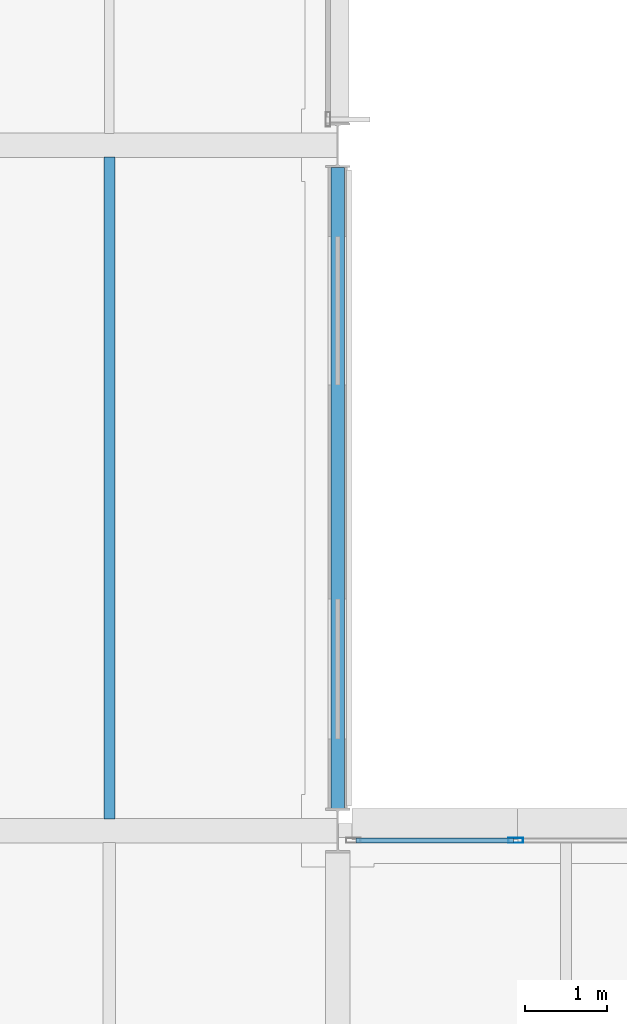
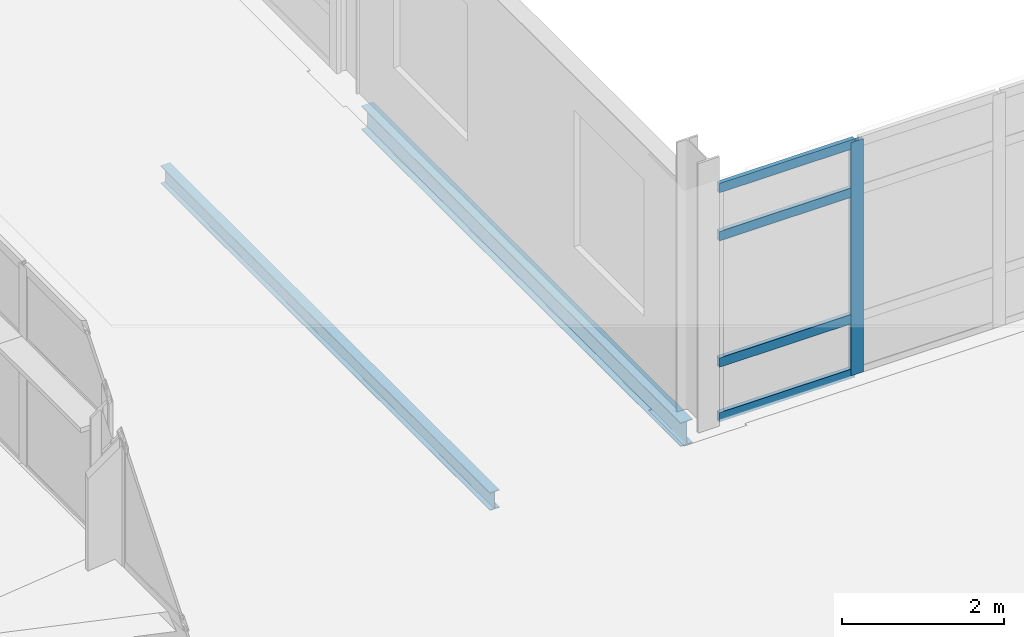
# One storey, part 24 of 131: 5 members, 2 beams, 1 element without a shape of its own.
"""IFC4 building model written with IfcOpenShell, lengths in metres."""

from ifc_helpers import new_model, si_unit, direction, frame, origin, origin_2d, place, context, subcontext, project, spatial, hollow_rectangle, i_section, extrude, material, material_profile, profile_set, type_object, element, aggregate, save


model = new_model("IFC4")

# Units and contexts
model_context = context("Model", 3, precision=1e-05, world=origin(), true_north=direction((0.0, 1.0)))
body_context = subcontext(model_context, "Body", "Model", "MODEL_VIEW")
ifc_project = project(units=[si_unit("LENGTHUNIT", "METRE"), si_unit("AREAUNIT", "SQUARE_METRE"), si_unit("VOLUMEUNIT", "CUBIC_METRE"), si_unit("PLANEANGLEUNIT", "RADIAN"), si_unit("MASSUNIT", "GRAM", prefix="KILO")], contexts=[model_context])

# Site, building, storey
site_placement = place(None, origin())
site = spatial("IfcSite", under=ifc_project, at=site_placement, CompositionType="ELEMENT")
building_placement = place(site_placement, origin())
building = spatial("IfcBuilding", under=site, at=building_placement, Name="Mersafa Astral City Hall", CompositionType="ELEMENT")
storey_placement = place(building_placement, frame((0.0, 0.0, 13.949951171875)))
storey = spatial("IfcBuildingStorey", under=building, at=storey_placement, Name="L03", CompositionType="ELEMENT", Elevation=13.949951171875)

# Curtain wall, members
ifc_material_1 = material(Name="Anodised bronze aluminium framing", Category="aluminium")
curtain_wall_type = type_object("IfcCurtainWallType", Name="ENV-CW-2", PredefinedType="USERDEFINED", material=ifc_material_1)
curtain_wall_placement = place(storey_placement, origin())
curtain_wall = element("IfcCurtainWall", 1, at=curtain_wall_placement, inside=storey, type_object=curtain_wall_type, Name="L03 Unitised solar curtain wall 151", ObjectType="UNITISED CURTAIN WALL", PredefinedType="USERDEFINED")
ifc_material_profile_1 = material_profile(ifc_material_1, hollow_rectangle(XDim=0.06005859375, YDim=0.179931640625, WallThickness=0.00390625, at=origin_2d()), Name="RHS 60x180x4")
ifc_profile_set_1 = profile_set([ifc_material_profile_1], Name="Anodised bronze aluminium framing")
member_type_1 = type_object("IfcMemberType", Name="ENV-CW-MUL-1", PredefinedType="MULLION", material=ifc_profile_set_1)
member_1_placement = place(storey_placement, frame((119.781005859375, 33.47998046875, -0.001953125), z_axis=(0.0, 0.0, 1.0), x_axis=(0.0, -1.0, 0.0)))
member_1 = element("IfcMember", 2, at=member_1_placement, type_object=member_type_1, Name="CW-2 mullion 4", PredefinedType="MULLION", context=body_context, shape_type="SweptSolid", body=[
    extrude(hollow_rectangle(XDim=0.06005859375, YDim=0.179931640625, WallThickness=0.00390625, at=origin_2d()), origin(), (0.0, 0.0, 1.0), 3.50390625),
])
ifc_material_profile_2 = material_profile(ifc_material_1, hollow_rectangle(XDim=0.06005859375, YDim=0.139892578125, WallThickness=0.00390625, at=origin_2d()), Name="RHS 60x140x4")
ifc_profile_set_2 = profile_set([ifc_material_profile_2], Name="Anodised bronze aluminium framing")
member_type_2 = type_object("IfcMemberType", Name="ENV-CW-TRN-1", PredefinedType="USERDEFINED", material=ifc_profile_set_2)
member_2_placement = place(storey_placement, frame((119.7509765625, 33.47998046875, 0.028076171875), z_axis=(-1.0, 0.0, 0.0), x_axis=(0.0, -1.0, 0.0)))
member_2 = element("IfcMember", 3, at=member_2_placement, type_object=member_type_2, Name="CW-2 transom 4.1", ObjectType="TRANSOM", PredefinedType="USERDEFINED", context=body_context, shape_type="SweptSolid", body=[
    extrude(hollow_rectangle(XDim=0.06005859375, YDim=0.139892578125, WallThickness=0.00390625, at=origin_2d()), origin(), (0.0, 0.0, 1.0), 1.928955078125),
])
member_3_placement = place(storey_placement, frame((119.7509765625, 33.47998046875, 0.85009765625), z_axis=(-1.0, 0.0, 0.0), x_axis=(0.0, -1.0, 0.0)))
member_3 = element("IfcMember", 4, at=member_3_placement, type_object=member_type_2, Name="CW-2 transom 4.2", ObjectType="TRANSOM", PredefinedType="USERDEFINED", context=body_context, shape_type="SweptSolid", body=[
    extrude(hollow_rectangle(XDim=0.06005859375, YDim=0.139892578125, WallThickness=0.00390625, at=origin_2d()), origin(), (0.0, 0.0, 1.0), 1.928955078125),
])
member_4_placement = place(storey_placement, frame((119.7509765625, 33.47998046875, 2.75), z_axis=(-1.0, 0.0, 0.0), x_axis=(0.0, -1.0, 0.0)))
member_4 = element("IfcMember", 5, at=member_4_placement, type_object=member_type_2, Name="CW-2 transom 4.3", ObjectType="TRANSOM", PredefinedType="USERDEFINED", context=body_context, shape_type="SweptSolid", body=[
    extrude(hollow_rectangle(XDim=0.06005859375, YDim=0.139892578125, WallThickness=0.00390625, at=origin_2d()), origin(), (0.0, 0.0, 1.0), 1.928955078125),
])
member_5_placement = place(storey_placement, frame((119.7509765625, 33.47998046875, 3.47216796875), z_axis=(-1.0, 0.0, 0.0), x_axis=(0.0, -1.0, 0.0)))
member_5 = element("IfcMember", 6, at=member_5_placement, type_object=member_type_2, Name="CW-2 transom 4.4", ObjectType="TRANSOM", PredefinedType="USERDEFINED", context=body_context, shape_type="SweptSolid", body=[
    extrude(hollow_rectangle(XDim=0.06005859375, YDim=0.139892578125, WallThickness=0.00390625, at=origin_2d()), origin(), (0.0, 0.0, 1.0), 1.928955078125),
])
aggregate(curtain_wall, [member_1, member_2, member_3, member_4, member_5])

# Beams
ifc_material_2 = material(Name="Steel S355", Category="steel")
ifc_material_profile_3 = material_profile(ifc_material_2, i_section(OverallWidth=0.135009765625, OverallDepth=0.27001953125, WebThickness=0.006591796875, FlangeThickness=0.01025390625, FilletRadius=0.014892578125, at=origin_2d()), Name="IPE 270")
ifc_profile_set_3 = profile_set([ifc_material_profile_3], Name="Steel S355")
beam_type_1 = type_object("IfcBeamType", Name="STR-BM-JOIST-IPE270", PredefinedType="JOIST", material=ifc_profile_set_3)
beam_1_placement = place(storey_placement, frame((114.800048828125, 33.7451171875, -0.3349609375), z_axis=(0.0, 1.0, 0.0), x_axis=(-1.0, 0.0, 0.0)))
element("IfcBeam", 7, at=beam_1_placement, inside=storey, type_object=beam_type_1, Name="L03 Composite secondary floor joist 609", PredefinedType="JOIST", context=body_context, shape_type="SweptSolid", body=[
    extrude(i_section(OverallWidth=0.135009765625, OverallDepth=0.27001953125, WebThickness=0.006591796875, FlangeThickness=0.01025390625, FilletRadius=0.014892578125, at=origin_2d()), origin(), (0.0, 0.0, 1.0), 8.10986328125),
])
ifc_material_profile_4 = material_profile(ifc_material_2, i_section(OverallWidth=0.169921875, OverallDepth=0.360107421875, WebThickness=0.008056640625, FlangeThickness=0.0126953125, FilletRadius=0.01806640625, at=origin_2d()), Name="IPE 360")
ifc_profile_set_4 = profile_set([ifc_material_profile_4], Name="Steel S355")
beam_type_2 = type_object("IfcBeamType", Name="STR-BM-SPANDREL-IPE360", PredefinedType="SPANDREL", material=ifc_profile_set_4)
beam_2_placement = place(storey_placement, frame((117.60009765625, 33.8701171875, -0.3798828125), z_axis=(0.0, 1.0, 0.0), x_axis=(-1.0, 0.0, 0.0)))
element("IfcBeam", 8, at=beam_2_placement, inside=storey, type_object=beam_type_2, Name="L03 Primary girder Y 14-4", PredefinedType="SPANDREL", context=body_context, shape_type="SweptSolid", body=[
    extrude(i_section(OverallWidth=0.169921875, OverallDepth=0.360107421875, WebThickness=0.008056640625, FlangeThickness=0.0126953125, FilletRadius=0.01806640625, at=origin_2d()), origin(), (0.0, 0.0, 1.0), 7.85986328125),
])

save(model, "model.ifc")
